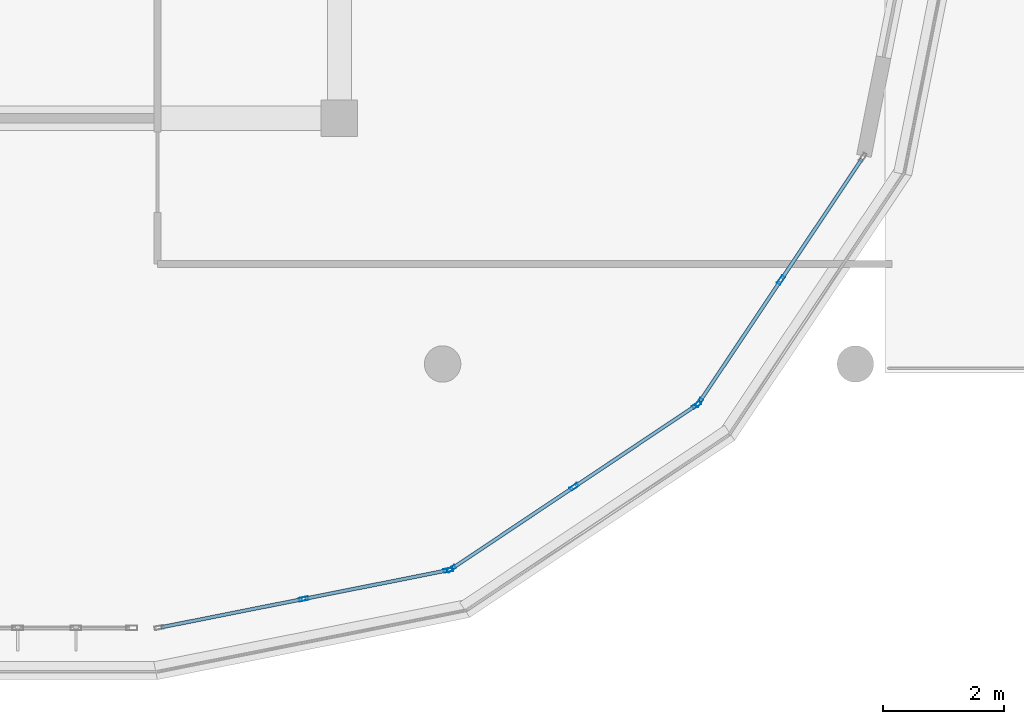
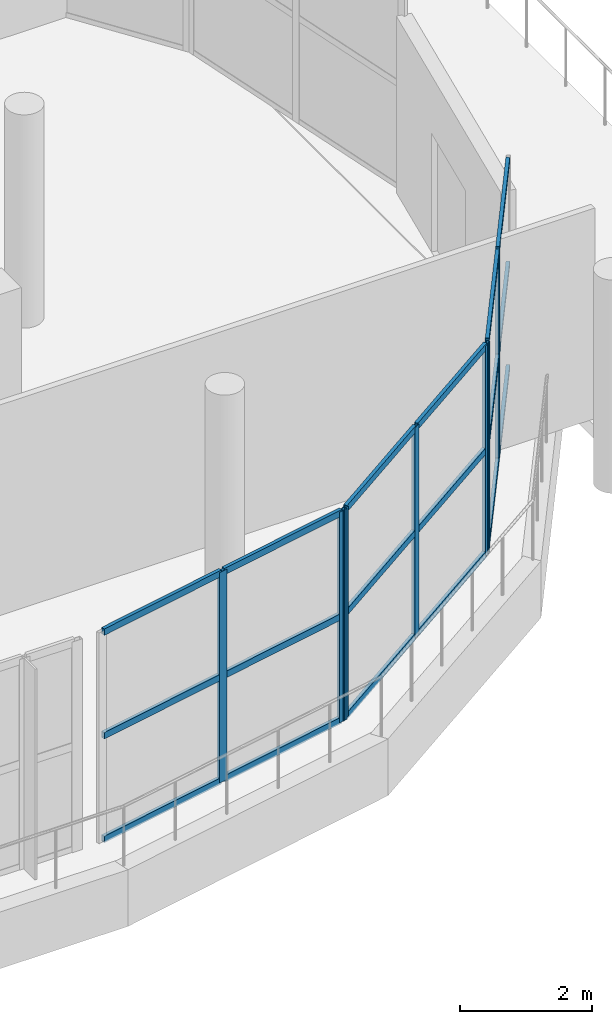
# One storey, part 31 of 56: 25 members, 3 elements without a shape of their own.
"""IFC4 building model written with IfcOpenShell, lengths in metres."""

import ifcopenshell
import ifcopenshell.guid

model = None  # the IFC model being written
_history = None  # IfcOwnerHistory: only IFC2X3 demands one
_inside = {}  # id of a spatial element -> (the spatial element, [elements in it])
_under = {}  # id of a project, library or spatial element -> (it, [spatial elements below it])
_declared = {}  # id of a project -> (the project, [libraries it declares])
_typed = {}  # id of a type object -> (the type object, [elements of that type])
_made_of = {}  # id of a material, layer set ... -> (it, [elements and type objects made of it])


def new_model(schema):
    """Start an empty IFC model of exactly this schema.

    Asked for "IFC4X3", IfcOpenShell would pick the latest addendum, in which some entities
    have other attributes; the version numbers below select the first issue.
    IFC2X3 requires an IfcOwnerHistory on every rooted entity: one is made here for all.
    """
    global model, _history
    if schema == "IFC4X3":
        model = ifcopenshell.file(schema_version=(4, 3, 0, 0))
    else:
        model = ifcopenshell.file(schema=schema)
    _inside.clear()
    _under.clear()
    _declared.clear()
    _typed.clear()
    _made_of.clear()
    _history = None
    if model.schema == "IFC2X3":
        org = make("IfcOrganization", Name="unknown")
        user = make(
            "IfcPersonAndOrganization",
            ThePerson=make("IfcPerson", FamilyName="unknown"),
            TheOrganization=org,
        )
        app = make(
            "IfcApplication",
            ApplicationDeveloper=org,
            Version="unknown",
            ApplicationFullName="unknown",
            ApplicationIdentifier="unknown",
        )
        _history = make(
            "IfcOwnerHistory",
            OwningUser=user,
            OwningApplication=app,
            ChangeAction="ADDED",
            CreationDate=0,
        )
    return model


def make(cls, **values):
    """One entity of the class cls with the attributes given. An attribute that is None is left unset."""
    return model.create_entity(
        cls, **{name: value for name, value in values.items() if value is not None}
    )


def rooted(cls, **values):
    """An entity with a GlobalId (a new one), such as an element, a storey or a relation."""
    return make(cls, GlobalId=ifcopenshell.guid.new(), OwnerHistory=_history, **values)


def si_unit(unit_type, name, prefix=None):
    """IfcSIUnit, for example si_unit("LENGTHUNIT", "METRE", prefix="MILLI")."""
    return make("IfcSIUnit", UnitType=unit_type, Prefix=prefix, Name=name)


def assignment(units):
    """IfcUnitAssignment: the units of a project."""
    return None if units is None else make("IfcUnitAssignment", Units=units)


def point(xyz):
    """IfcCartesianPoint."""
    return None if xyz is None else make("IfcCartesianPoint", Coordinates=xyz)


def direction(xyz):
    """IfcDirection."""
    return None if xyz is None else make("IfcDirection", DirectionRatios=xyz)


def frame(location, z_axis=None, x_axis=None):
    """IfcAxis2Placement3D, a coordinate frame: its origin and axes. An axis left out is left unset."""
    return make(
        "IfcAxis2Placement3D",
        Location=point(location),
        Axis=direction(z_axis),
        RefDirection=direction(x_axis),
    )


def frame_2d(location, x_axis=None):
    """IfcAxis2Placement2D, a coordinate frame in the plane: its origin and x axis."""
    return make(
        "IfcAxis2Placement2D", Location=point(location), RefDirection=direction(x_axis)
    )


def origin():
    """The frame at (0, 0, 0) with its axes left unset."""
    return frame((0.0, 0.0, 0.0))


def origin_2d():
    """The frame at (0, 0) in the plane with its x axis left unset."""
    return frame_2d((0.0, 0.0))


def place(relative_to, where):
    """IfcLocalPlacement: puts the frame where relative to a parent placement (None: the world)."""
    return make(
        "IfcLocalPlacement", PlacementRelTo=relative_to, RelativePlacement=where
    )


def context(
    kind, dimensions, precision=None, world=None, true_north=None, identifier=None
):
    """IfcGeometricRepresentationContext, for example the 3D "Model" context."""
    return make(
        "IfcGeometricRepresentationContext",
        ContextIdentifier=identifier,
        ContextType=kind,
        CoordinateSpaceDimension=dimensions,
        Precision=precision,
        WorldCoordinateSystem=world,
        TrueNorth=true_north,
    )


def subcontext(parent, identifier, kind, view, scale=None):
    """IfcGeometricRepresentationSubContext, for example "Body" below "Model"."""
    return make(
        "IfcGeometricRepresentationSubContext",
        ContextIdentifier=identifier,
        ContextType=kind,
        ParentContext=parent,
        TargetScale=scale,
        TargetView=view,
    )


def project(units=None, contexts=None):
    """IfcProject with its units and contexts."""
    return rooted(
        "IfcProject",
        Name="project",
        RepresentationContexts=contexts,
        UnitsInContext=assignment(units),
    )


def spatial(cls, under=None, at=None, **own):
    """A site, building, storey or space (cls), placed at a placement, below another one or the project."""
    s = rooted(cls, ObjectPlacement=at, **own)
    if under is not None:
        _under.setdefault(under.id(), (under, []))[1].append(s)
    return s


def profile(cls, at=None, kind="AREA", **sizes):
    """A parametric profile (cls). Its sizes go by their IFC names, for example OverallWidth=200.0."""
    return make(cls, ProfileType=kind, Position=at, **sizes)


def hollow_rectangle(**sizes):
    """IfcRectangleHollowProfileDef."""
    return profile("IfcRectangleHollowProfileDef", **sizes)


def extrude(swept, where, along, depth):
    """IfcExtrudedAreaSolid: the profile swept, set in the frame where, extruded along a direction by depth."""
    return make(
        "IfcExtrudedAreaSolid",
        SweptArea=swept,
        Position=where,
        ExtrudedDirection=direction(along),
        Depth=depth,
    )


def shape(context_of_items, identifier, shape_type, items):
    """IfcShapeRepresentation: the items that make up one representation, for example the "Body"."""
    return make(
        "IfcShapeRepresentation",
        ContextOfItems=context_of_items,
        RepresentationIdentifier=identifier,
        RepresentationType=shape_type,
        Items=items,
    )


def material(Name=None, Category=None):
    """IfcMaterial."""
    return make("IfcMaterial", Name=Name, Category=Category)


def layer(
    of_material, thickness, ventilated=None, Name=None, Category=None, Priority=None
):
    """IfcMaterialLayer: one layer of a wall or slab, of a material (None: an air gap)."""
    return make(
        "IfcMaterialLayer",
        Material=of_material,
        LayerThickness=thickness,
        IsVentilated=ventilated,
        Name=Name,
        Category=Category,
        Priority=Priority,
    )


def layer_set(layers, Name=None):
    """IfcMaterialLayerSet."""
    return make("IfcMaterialLayerSet", MaterialLayers=layers, LayerSetName=Name)


def material_profile(
    of_material, cross_section, Name=None, Category=None, Priority=None
):
    """IfcMaterialProfile: a cross section and its material."""
    return make(
        "IfcMaterialProfile",
        Name=Name,
        Material=of_material,
        Profile=cross_section,
        Priority=Priority,
        Category=Category,
    )


def profile_set(profiles, Name=None, composite=None):
    """IfcMaterialProfileSet."""
    return make(
        "IfcMaterialProfileSet",
        Name=Name,
        MaterialProfiles=profiles,
        CompositeProfile=composite,
    )


def made_of(thing, what):
    """Note that an element or type object is made of a material, layer set ...; save() writes the relation."""
    if what is not None:
        _made_of.setdefault(what.id(), (what, []))[1].append(thing)
    return thing


def type_object(cls, material=None, **own):
    """A type object (cls), such as IfcWallType, which elements share."""
    return made_of(rooted(cls, **own), material)


def element(
    cls,
    number,
    at=None,
    inside=None,
    cuts=None,
    type_object=None,
    material=None,
    context=None,
    identifier="Body",
    shape_type=None,
    held_by="IfcProductDefinitionShape",
    body=None,
    shapes=None,
    **own,
):
    """One element of the class cls, such as IfcWall. Its Tag is "e" and its number.

    at: its placement. inside: the storey or other place that contains it. cuts: it is an
    opening in that element (IfcRelVoidsElement). A single representation is given by context,
    identifier, shape_type and body (its items); several are given by shapes. held_by: the class
    of the entity that holds the representations. save() writes the other relations.
    """
    e = rooted(cls, Tag="e%d" % number, ObjectPlacement=at, **own)
    if body is not None:
        shapes = [shape(context, identifier, shape_type, body)]
    if shapes is not None:
        e.Representation = make(held_by, Representations=shapes)
    if inside is not None:
        _inside.setdefault(inside.id(), (inside, []))[1].append(e)
    if cuts is not None:
        rooted(
            "IfcRelVoidsElement", RelatingBuildingElement=cuts, RelatedOpeningElement=e
        )
    if type_object is not None:
        _typed.setdefault(type_object.id(), (type_object, []))[1].append(e)
    return made_of(e, material)


def aggregate(whole, parts):
    """IfcRelAggregates: a whole, such as a stair, and the parts it consists of."""
    return rooted("IfcRelAggregates", RelatingObject=whole, RelatedObjects=parts)


def save(model, path):
    """Write the relations noted so far, then the file.

    IfcRelAggregates (storeys below a building ...), IfcRelContainedInSpatialStructure (elements
    in a storey), IfcRelDefinesByType, IfcRelAssociatesMaterial and IfcRelDeclares: one each for
    every whole, place, type object, material and project.
    """
    for whole, parts in _under.values():
        aggregate(whole, parts)
    for where, things in _inside.values():
        rooted(
            "IfcRelContainedInSpatialStructure",
            RelatedElements=things,
            RelatingStructure=where,
        )
    for kind, things in _typed.values():
        rooted("IfcRelDefinesByType", RelatedObjects=things, RelatingType=kind)
    for what, things in _made_of.values():
        rooted("IfcRelAssociatesMaterial", RelatedObjects=things, RelatingMaterial=what)
    for by, libraries in _declared.values():
        rooted("IfcRelDeclares", RelatingContext=by, RelatedDefinitions=libraries)
    model.write(path)


model = new_model("IFC4")

# Units and contexts
model_context = context("Model", 3, precision=1e-05, world=origin(), true_north=direction((0.0, 1.0)))
body_context = subcontext(model_context, "Body", "Model", "MODEL_VIEW")
ifc_project = project(units=[si_unit("LENGTHUNIT", "METRE"), si_unit("AREAUNIT", "SQUARE_METRE"), si_unit("VOLUMEUNIT", "CUBIC_METRE"), si_unit("PLANEANGLEUNIT", "RADIAN"), si_unit("MASSUNIT", "GRAM", prefix="KILO")], contexts=[model_context])

# Site, building, storey
site_placement = place(None, origin())
site = spatial("IfcSite", under=ifc_project, at=site_placement, CompositionType="ELEMENT")
building_placement = place(site_placement, origin())
building = spatial("IfcBuilding", under=site, at=building_placement, Name="Zizhar Promenade General Hospital", CompositionType="ELEMENT")
storey_placement = place(building_placement, frame((0.0, 0.0, 26.39990234375)))
storey = spatial("IfcBuildingStorey", under=building, at=storey_placement, Name="L06", CompositionType="ELEMENT", Elevation=26.39990234375)

# Curtain wall, members
ifc_material_1 = material(Name="Anodised aluminium 6063-T6 and low-E glass", Category="aluminium")
ifc_layer = layer(ifc_material_1, 0.159912109375)
ifc_layer_set = layer_set([ifc_layer], Name="Anodised aluminium 6063-T6 and low-E glass")
curtain_wall_type = type_object("IfcCurtainWallType", Name="CW-WARD-ARC", PredefinedType="NOTDEFINED", material=ifc_layer_set)
curtain_wall_1_placement = place(storey_placement, origin())
curtain_wall_1 = element("IfcCurtainWall", 1, at=curtain_wall_1_placement, inside=storey, type_object=curtain_wall_type, Name="Ward Semicircular End Glazing L06-01", PredefinedType="NOTDEFINED")
ifc_material_2 = material(Name="Anodised aluminium 6063-T6", Category="aluminium")
ifc_material_profile_1 = material_profile(ifc_material_2, hollow_rectangle(XDim=0.06005859375, YDim=0.14990234375, WallThickness=0.00390625, at=origin_2d()))
ifc_profile_set_1 = profile_set([ifc_material_profile_1], Name="Anodised aluminium 6063-T6")
member_type_1 = type_object("IfcMemberType", Name="CWM-ALU-150x60", PredefinedType="MULLION", material=ifc_profile_set_1)
member_1_placement = place(storey_placement, frame((118.79248046875, 0.953369140625, 0.0), z_axis=(0.0, 0.0, 1.0), x_axis=(0.195087259275, -0.980785889615, 0.0)))
member_1 = element("IfcMember", 2, at=member_1_placement, type_object=member_type_1, Name="CW-12 mullion 1", PredefinedType="MULLION", context=body_context, shape_type="SweptSolid", body=[
    extrude(hollow_rectangle(XDim=0.06005859375, YDim=0.14990234375, WallThickness=0.00390625, at=origin_2d()), origin(), (0.0, 0.0, 1.0), 3.900146484375),
])
member_2_placement = place(storey_placement, frame((116.410888671875, 0.4794921875, 0.0), z_axis=(0.0, 0.0, 1.0), x_axis=(0.195087259275, -0.980785889615, 0.0)))
member_2 = element("IfcMember", 3, at=member_2_placement, type_object=member_type_1, Name="CW-12 mullion 2", PredefinedType="MULLION", context=body_context, shape_type="SweptSolid", body=[
    extrude(hollow_rectangle(XDim=0.06005859375, YDim=0.14990234375, WallThickness=0.00390625, at=origin_2d()), origin(), (0.0, 0.0, 1.0), 3.900146484375),
])

curtain_wall_2_placement = place(storey_placement, origin())
curtain_wall_2 = element("IfcCurtainWall", 4, at=curtain_wall_2_placement, inside=storey, type_object=curtain_wall_type, Name="Ward Semicircular End Glazing L06-02", PredefinedType="NOTDEFINED")
member_3_placement = place(storey_placement, frame((122.884521484375, 3.673828125, 0.0), z_axis=(0.0, 0.0, 1.0), x_axis=(0.555582352095, -0.831461514468, 0.0)))
member_3 = element("IfcMember", 5, at=member_3_placement, type_object=member_type_1, Name="CW-12 mullion 1", PredefinedType="MULLION", context=body_context, shape_type="SweptSolid", body=[
    extrude(hollow_rectangle(XDim=0.06005859375, YDim=0.14990234375, WallThickness=0.00390625, at=origin_2d()), origin(), (0.0, 0.0, 1.0), 3.900146484375),
])
member_4_placement = place(storey_placement, frame((120.86572265625, 2.32470703125, 0.0), z_axis=(0.0, 0.0, 1.0), x_axis=(0.555582352095, -0.831461514468, 0.0)))
member_4 = element("IfcMember", 6, at=member_4_placement, type_object=member_type_1, Name="CW-12 mullion 2", PredefinedType="MULLION", context=body_context, shape_type="SweptSolid", body=[
    extrude(hollow_rectangle(XDim=0.06005859375, YDim=0.14990234375, WallThickness=0.00390625, at=origin_2d()), origin(), (0.0, 0.0, 1.0), 3.900146484375),
])
member_5_placement = place(storey_placement, frame((118.8466796875, 0.975830078125, 0.0), z_axis=(0.0, 0.0, 1.0), x_axis=(0.555582352095, -0.831461514468, 0.0)))
member_5 = element("IfcMember", 7, at=member_5_placement, type_object=member_type_1, Name="CW-12 mullion 3", PredefinedType="MULLION", context=body_context, shape_type="SweptSolid", body=[
    extrude(hollow_rectangle(XDim=0.06005859375, YDim=0.14990234375, WallThickness=0.00390625, at=origin_2d()), origin(), (0.0, 0.0, 1.0), 3.900146484375),
])

curtain_wall_3_placement = place(storey_placement, origin())
curtain_wall_3 = element("IfcCurtainWall", 8, at=curtain_wall_3_placement, inside=storey, type_object=curtain_wall_type, Name="Ward Semicircular End Glazing L06-03", PredefinedType="NOTDEFINED")
member_6_placement = place(storey_placement, frame((124.275146484375, 5.734375, 0.0), z_axis=(0.0, 0.0, 1.0), x_axis=(0.831461514468, -0.555582352095, 0.0)))
member_6 = element("IfcMember", 9, at=member_6_placement, type_object=member_type_1, Name="CW-12 mullion 2", PredefinedType="MULLION", context=body_context, shape_type="SweptSolid", body=[
    extrude(hollow_rectangle(XDim=0.06005859375, YDim=0.14990234375, WallThickness=0.00390625, at=origin_2d()), origin(), (0.0, 0.0, 1.0), 3.900146484375),
])
member_7_placement = place(storey_placement, frame((122.92626953125, 3.71533203125, 0.0), z_axis=(0.0, 0.0, 1.0), x_axis=(0.831461514468, -0.555582352095, 0.0)))
member_7 = element("IfcMember", 10, at=member_7_placement, type_object=member_type_1, Name="CW-12 mullion 3", PredefinedType="MULLION", context=body_context, shape_type="SweptSolid", body=[
    extrude(hollow_rectangle(XDim=0.06005859375, YDim=0.14990234375, WallThickness=0.00390625, at=origin_2d()), origin(), (0.0, 0.0, 1.0), 3.900146484375),
])

# Member
ifc_material_3 = material(Name="Anodised aluminium 6063-T6", Category="aluminium")
ifc_material_profile_2 = material_profile(ifc_material_3, hollow_rectangle(XDim=0.06005859375, YDim=0.1201171875, WallThickness=0.00390625, at=origin_2d()))
ifc_profile_set_2 = profile_set([ifc_material_profile_2], Name="Anodised aluminium 6063-T6")
member_type_2 = type_object("IfcMemberType", Name="CWT-ALU-120x60", PredefinedType="USERDEFINED", material=ifc_profile_set_2)
member_8_placement = place(storey_placement, frame((118.762939453125, 0.947509765625, 0.030029296875), z_axis=(-0.98077054851, -0.195164369634, 0.0), x_axis=(0.195164369634, -0.98077054851, 0.0)))
member_8 = element("IfcMember", 11, at=member_8_placement, type_object=member_type_2, Name="CW-12 transom 1.1", ObjectType="TRANSOM", PredefinedType="USERDEFINED", context=body_context, shape_type="SweptSolid", body=[
    extrude(hollow_rectangle(XDim=0.06005859375, YDim=0.1201171875, WallThickness=0.00390625, at=origin_2d()), origin(), (0.0, 0.0, 1.0), 2.3681640625),
])

member_9_placement = place(storey_placement, frame((118.762939453125, 0.947509765625, 1.9501953125), z_axis=(-0.98077054851, -0.195164369634, 0.0), x_axis=(0.195164369634, -0.98077054851, 0.0)))
member_9 = element("IfcMember", 12, at=member_9_placement, type_object=member_type_2, Name="CW-12 transom 1.2", ObjectType="TRANSOM", PredefinedType="USERDEFINED", context=body_context, shape_type="SweptSolid", body=[
    extrude(hollow_rectangle(XDim=0.06005859375, YDim=0.1201171875, WallThickness=0.00390625, at=origin_2d()), origin(), (0.0, 0.0, 1.0), 2.3681640625),
])

member_10_placement = place(storey_placement, frame((118.762939453125, 0.947509765625, 3.8701171875), z_axis=(-0.98077054851, -0.195164369634, 0.0), x_axis=(0.195164369634, -0.98077054851, 0.0)))
member_10 = element("IfcMember", 13, at=member_10_placement, type_object=member_type_2, Name="CW-12 transom 1.3", ObjectType="TRANSOM", PredefinedType="USERDEFINED", context=body_context, shape_type="SweptSolid", body=[
    extrude(hollow_rectangle(XDim=0.06005859375, YDim=0.1201171875, WallThickness=0.00390625, at=origin_2d()), origin(), (0.0, 0.0, 1.0), 2.3681640625),
])

member_11_placement = place(storey_placement, frame((116.381591796875, 0.4736328125, 0.030029296875), z_axis=(-0.980794200422, -0.195045472693, 0.0), x_axis=(0.195045472693, -0.980794200422, 0.0)))
member_11 = element("IfcMember", 14, at=member_11_placement, type_object=member_type_2, Name="CW-12 transom 2.1", ObjectType="TRANSOM", PredefinedType="USERDEFINED", context=body_context, shape_type="SweptSolid", body=[
    extrude(hollow_rectangle(XDim=0.06005859375, YDim=0.1201171875, WallThickness=0.00390625, at=origin_2d()), origin(), (0.0, 0.0, 1.0), 2.3681640625),
])

member_12_placement = place(storey_placement, frame((116.381591796875, 0.4736328125, 1.9501953125), z_axis=(-0.980794200422, -0.195045472693, 0.0), x_axis=(0.195045472693, -0.980794200422, 0.0)))
member_12 = element("IfcMember", 15, at=member_12_placement, type_object=member_type_2, Name="CW-12 transom 2.2", ObjectType="TRANSOM", PredefinedType="USERDEFINED", context=body_context, shape_type="SweptSolid", body=[
    extrude(hollow_rectangle(XDim=0.06005859375, YDim=0.1201171875, WallThickness=0.00390625, at=origin_2d()), origin(), (0.0, 0.0, 1.0), 2.3681640625),
])

member_13_placement = place(storey_placement, frame((116.381591796875, 0.4736328125, 3.8701171875), z_axis=(-0.980794200422, -0.195045472693, 0.0), x_axis=(0.195045472693, -0.980794200422, 0.0)))
member_13 = element("IfcMember", 16, at=member_13_placement, type_object=member_type_2, Name="CW-12 transom 2.3", ObjectType="TRANSOM", PredefinedType="USERDEFINED", context=body_context, shape_type="SweptSolid", body=[
    extrude(hollow_rectangle(XDim=0.06005859375, YDim=0.1201171875, WallThickness=0.00390625, at=origin_2d()), origin(), (0.0, 0.0, 1.0), 2.3681640625),
])

aggregate(curtain_wall_1, [member_1, member_2, member_8, member_9, member_10, member_11, member_12, member_13])

member_14_placement = place(storey_placement, frame((122.859619140625, 3.6572265625, 0.030029296875), z_axis=(-0.831462978956, -0.555580160396, 0.0), x_axis=(0.555580160396, -0.831462978956, 0.0)))
member_14 = element("IfcMember", 17, at=member_14_placement, type_object=member_type_2, Name="CW-12 transom 1.1", ObjectType="TRANSOM", PredefinedType="USERDEFINED", context=body_context, shape_type="SweptSolid", body=[
    extrude(hollow_rectangle(XDim=0.06005859375, YDim=0.1201171875, WallThickness=0.00390625, at=origin_2d()), origin(), (0.0, 0.0, 1.0), 2.3681640625),
])

member_15_placement = place(storey_placement, frame((122.859619140625, 3.6572265625, 1.9501953125), z_axis=(-0.831462978956, -0.555580160396, 0.0), x_axis=(0.555580160396, -0.831462978956, 0.0)))
member_15 = element("IfcMember", 18, at=member_15_placement, type_object=member_type_2, Name="CW-12 transom 1.2", ObjectType="TRANSOM", PredefinedType="USERDEFINED", context=body_context, shape_type="SweptSolid", body=[
    extrude(hollow_rectangle(XDim=0.06005859375, YDim=0.1201171875, WallThickness=0.00390625, at=origin_2d()), origin(), (0.0, 0.0, 1.0), 2.3681640625),
])

member_16_placement = place(storey_placement, frame((122.859619140625, 3.6572265625, 3.8701171875), z_axis=(-0.831462978956, -0.555580160396, 0.0), x_axis=(0.555580160396, -0.831462978956, 0.0)))
member_16 = element("IfcMember", 19, at=member_16_placement, type_object=member_type_2, Name="CW-12 transom 1.3", ObjectType="TRANSOM", PredefinedType="USERDEFINED", context=body_context, shape_type="SweptSolid", body=[
    extrude(hollow_rectangle(XDim=0.06005859375, YDim=0.1201171875, WallThickness=0.00390625, at=origin_2d()), origin(), (0.0, 0.0, 1.0), 2.3681640625),
])

member_17_placement = place(storey_placement, frame((120.8408203125, 2.30810546875, 0.030029296875), z_axis=(-0.831494797197, -0.555532539312, 0.0), x_axis=(0.555532539312, -0.831494797197, 0.0)))
member_17 = element("IfcMember", 20, at=member_17_placement, type_object=member_type_2, Name="CW-12 transom 2.1", ObjectType="TRANSOM", PredefinedType="USERDEFINED", context=body_context, shape_type="SweptSolid", body=[
    extrude(hollow_rectangle(XDim=0.06005859375, YDim=0.1201171875, WallThickness=0.00390625, at=origin_2d()), origin(), (0.0, 0.0, 1.0), 2.368408203125),
])

member_18_placement = place(storey_placement, frame((120.8408203125, 2.30810546875, 1.9501953125), z_axis=(-0.831494797197, -0.555532539312, 0.0), x_axis=(0.555532539312, -0.831494797197, 0.0)))
member_18 = element("IfcMember", 21, at=member_18_placement, type_object=member_type_2, Name="CW-12 transom 2.2", ObjectType="TRANSOM", PredefinedType="USERDEFINED", context=body_context, shape_type="SweptSolid", body=[
    extrude(hollow_rectangle(XDim=0.06005859375, YDim=0.1201171875, WallThickness=0.00390625, at=origin_2d()), origin(), (0.0, 0.0, 1.0), 2.368408203125),
])

member_19_placement = place(storey_placement, frame((120.8408203125, 2.30810546875, 3.8701171875), z_axis=(-0.831494797197, -0.555532539312, 0.0), x_axis=(0.555532539312, -0.831494797197, 0.0)))
member_19 = element("IfcMember", 22, at=member_19_placement, type_object=member_type_2, Name="CW-12 transom 2.3", ObjectType="TRANSOM", PredefinedType="USERDEFINED", context=body_context, shape_type="SweptSolid", body=[
    extrude(hollow_rectangle(XDim=0.06005859375, YDim=0.1201171875, WallThickness=0.00390625, at=origin_2d()), origin(), (0.0, 0.0, 1.0), 2.368408203125),
])

aggregate(curtain_wall_2, [member_3, member_4, member_5, member_14, member_15, member_16, member_17, member_18, member_19])

member_20_placement = place(storey_placement, frame((125.607666015625, 7.728271484375, 0.030029296875), z_axis=(-0.555651427164, -0.831415354375, 0.0), x_axis=(0.831415354375, -0.555651427164, 0.0)))
member_20 = element("IfcMember", 23, at=member_20_placement, type_object=member_type_2, Name="CW-12 transom 1.1", ObjectType="TRANSOM", PredefinedType="USERDEFINED", context=body_context, shape_type="SweptSolid", body=[
    extrude(hollow_rectangle(XDim=0.06005859375, YDim=0.1201171875, WallThickness=0.00390625, at=origin_2d()), origin(), (0.0, 0.0, 1.0), 2.3681640625),
])

member_21_placement = place(storey_placement, frame((125.607666015625, 7.728271484375, 1.9501953125), z_axis=(-0.555651427164, -0.831415354375, 0.0), x_axis=(0.831415354375, -0.555651427164, 0.0)))
member_21 = element("IfcMember", 24, at=member_21_placement, type_object=member_type_2, Name="CW-12 transom 1.2", ObjectType="TRANSOM", PredefinedType="USERDEFINED", context=body_context, shape_type="SweptSolid", body=[
    extrude(hollow_rectangle(XDim=0.06005859375, YDim=0.1201171875, WallThickness=0.00390625, at=origin_2d()), origin(), (0.0, 0.0, 1.0), 2.3681640625),
])

member_22_placement = place(storey_placement, frame((125.607666015625, 7.728271484375, 3.8701171875), z_axis=(-0.555651427164, -0.831415354375, 0.0), x_axis=(0.831415354375, -0.555651427164, 0.0)))
member_22 = element("IfcMember", 25, at=member_22_placement, type_object=member_type_2, Name="CW-12 transom 1.3", ObjectType="TRANSOM", PredefinedType="USERDEFINED", context=body_context, shape_type="SweptSolid", body=[
    extrude(hollow_rectangle(XDim=0.06005859375, YDim=0.1201171875, WallThickness=0.00390625, at=origin_2d()), origin(), (0.0, 0.0, 1.0), 2.3681640625),
])

member_23_placement = place(storey_placement, frame((124.258544921875, 5.70947265625, 0.030029296875), z_axis=(-0.555580160396, -0.831462978956, 0.0), x_axis=(0.831462978956, -0.555580160396, 0.0)))
member_23 = element("IfcMember", 26, at=member_23_placement, type_object=member_type_2, Name="CW-12 transom 2.1", ObjectType="TRANSOM", PredefinedType="USERDEFINED", context=body_context, shape_type="SweptSolid", body=[
    extrude(hollow_rectangle(XDim=0.06005859375, YDim=0.1201171875, WallThickness=0.00390625, at=origin_2d()), origin(), (0.0, 0.0, 1.0), 2.3681640625),
])

member_24_placement = place(storey_placement, frame((124.258544921875, 5.70947265625, 1.9501953125), z_axis=(-0.555580160396, -0.831462978956, 0.0), x_axis=(0.831462978956, -0.555580160396, 0.0)))
member_24 = element("IfcMember", 27, at=member_24_placement, type_object=member_type_2, Name="CW-12 transom 2.2", ObjectType="TRANSOM", PredefinedType="USERDEFINED", context=body_context, shape_type="SweptSolid", body=[
    extrude(hollow_rectangle(XDim=0.06005859375, YDim=0.1201171875, WallThickness=0.00390625, at=origin_2d()), origin(), (0.0, 0.0, 1.0), 2.3681640625),
])

member_25_placement = place(storey_placement, frame((124.258544921875, 5.70947265625, 3.8701171875), z_axis=(-0.555580160396, -0.831462978956, 0.0), x_axis=(0.831462978956, -0.555580160396, 0.0)))
member_25 = element("IfcMember", 28, at=member_25_placement, type_object=member_type_2, Name="CW-12 transom 2.3", ObjectType="TRANSOM", PredefinedType="USERDEFINED", context=body_context, shape_type="SweptSolid", body=[
    extrude(hollow_rectangle(XDim=0.06005859375, YDim=0.1201171875, WallThickness=0.00390625, at=origin_2d()), origin(), (0.0, 0.0, 1.0), 2.3681640625),
])

aggregate(curtain_wall_3, [member_6, member_7, member_20, member_21, member_22, member_23, member_24, member_25])

save(model, "model.ifc")
